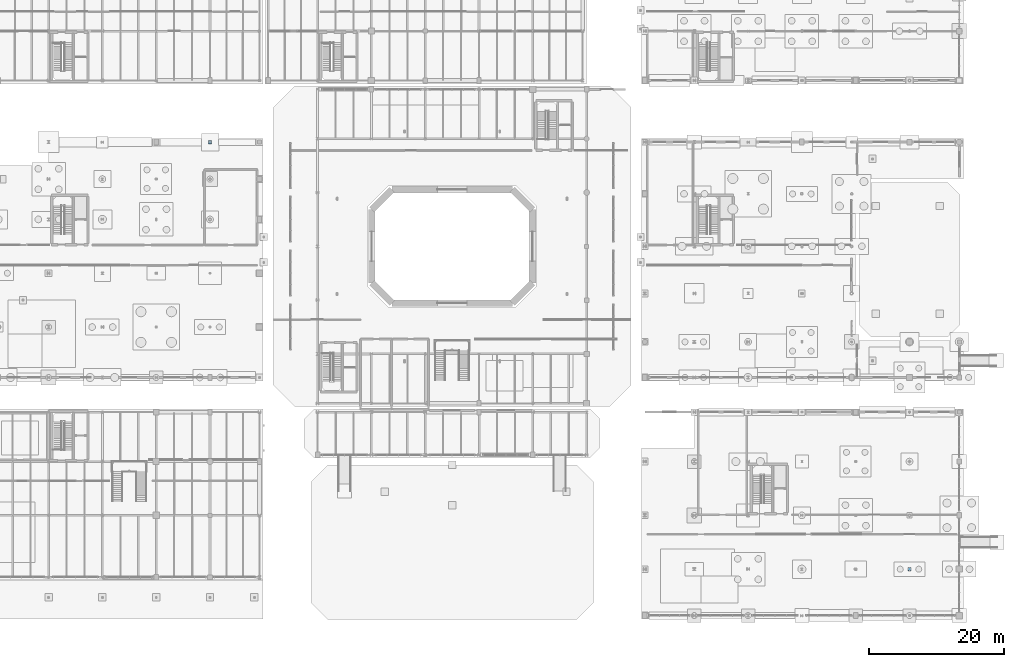
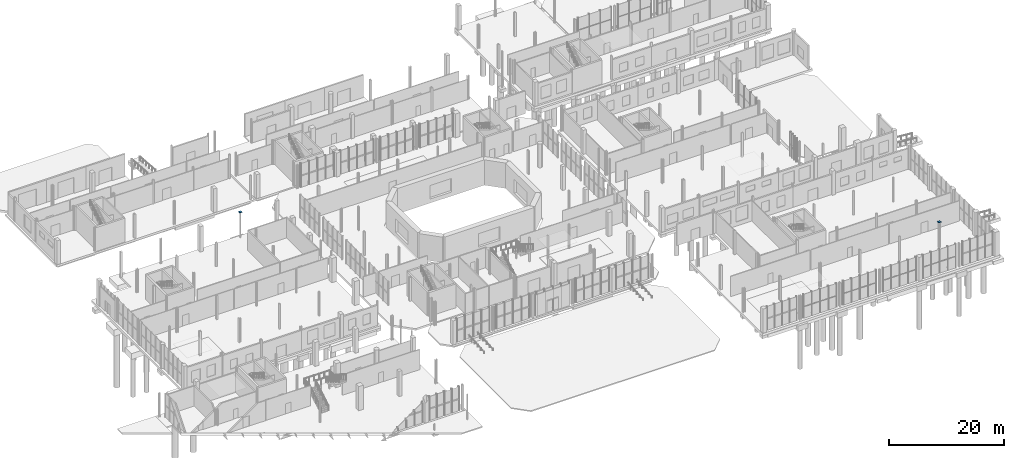
# One storey, part 77 of 87: 2 discrete accessories.
"""IFC4 building model written with IfcOpenShell, lengths in metres."""

from ifc_helpers import new_model, si_unit, direction, frame, origin, origin_2d, place, context, subcontext, project, spatial, rectangle, extrude, material, type_object, element, save


model = new_model("IFC4")

# Units and contexts
model_context = context("Model", 3, precision=1e-05, world=origin(), true_north=direction((0.0, 1.0)))
body_context = subcontext(model_context, "Body", "Model", "MODEL_VIEW")
ifc_project = project(units=[si_unit("LENGTHUNIT", "METRE"), si_unit("AREAUNIT", "SQUARE_METRE"), si_unit("VOLUMEUNIT", "CUBIC_METRE"), si_unit("PLANEANGLEUNIT", "RADIAN"), si_unit("MASSUNIT", "GRAM", prefix="KILO")], contexts=[model_context])

# Site, building, storey
site_placement = place(None, origin())
site = spatial("IfcSite", under=ifc_project, at=site_placement, CompositionType="ELEMENT")
building_placement = place(site_placement, origin())
building = spatial("IfcBuilding", under=site, at=building_placement, Name="Brisemont Oceanarium", CompositionType="ELEMENT")
storey_placement = place(building_placement, origin())
storey = spatial("IfcBuildingStorey", under=building, at=storey_placement, Name="L00", CompositionType="ELEMENT", Elevation=0.0)

# Discrete accessories
ifc_material = material(Name="Structural Steel ASTM A572 Gr.50", Category="steel")
discrete_accessory_type = type_object("IfcDiscreteAccessoryType", Name="ACC-CAP-STL", PredefinedType="ANCHORPLATE", material=ifc_material)
for number, where, z_axis, x_axis, name in (
    (1, (152.0, 8.0, 5.39013671875), (0.0, 0.0, 1.0), (1.0, 0.0, 0.0), "V3 L00 hollow column welded end cap (5,1)"),
    (2, (48.0, 71.5, 5.39013671875), (0.0, 0.0, 1.0), (1.0, 0.0, 0.0), "V5W L00 hollow column welded end cap (4,5)"),
):
    element("IfcDiscreteAccessory", number, at=place(storey_placement, frame(where, z_axis=z_axis, x_axis=x_axis)), inside=storey, type_object=discrete_accessory_type, Name=name, PredefinedType="ANCHORPLATE", context=body_context, shape_type="SweptSolid", body=[
        extrude(rectangle(XDim=0.5, YDim=0.5, at=origin_2d()), origin(), (0.0, 0.0, 1.0), 0.030029296875),
    ])

save(model, "model.ifc")
